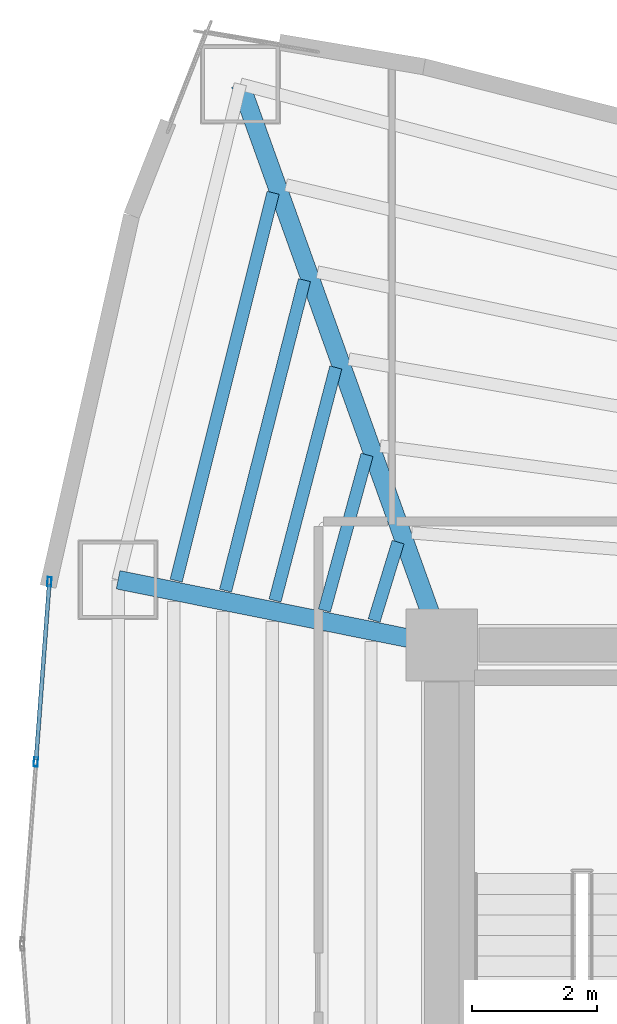
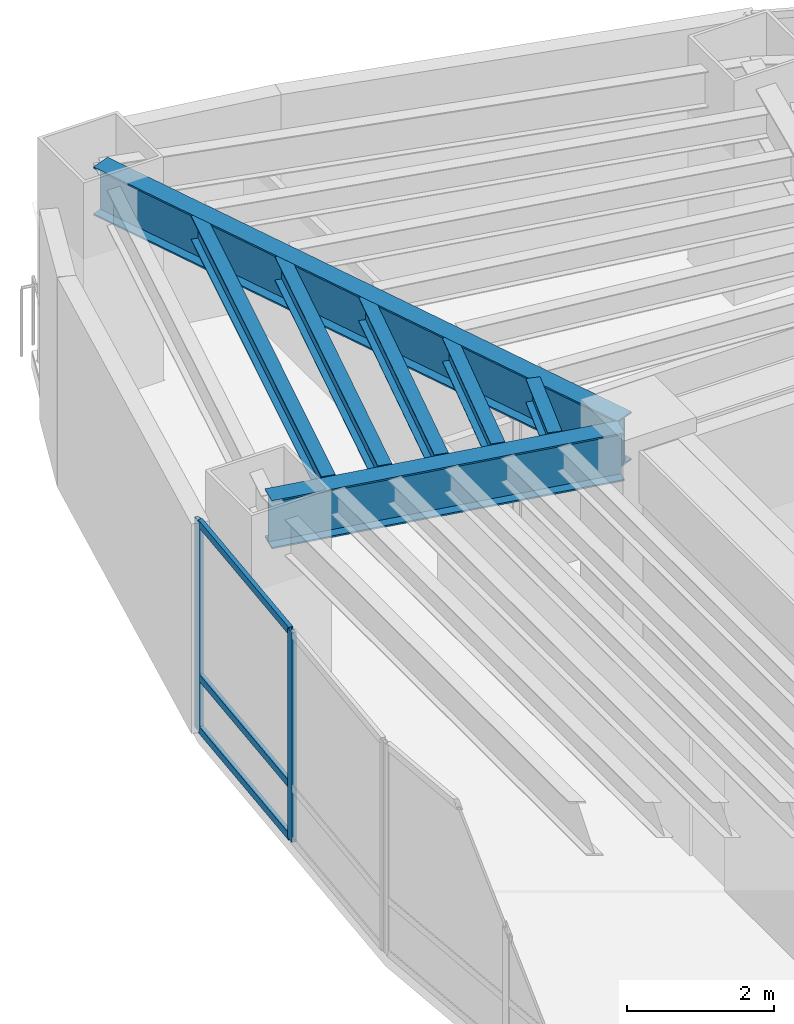
# One storey, part 7 of 18: 7 beams, 5 members, 1 element without a shape of its own.
"""IFC4 building model written with IfcOpenShell, lengths in metres."""

from ifc_helpers import new_model, si_unit, direction, frame, origin, origin_2d, place, context, subcontext, project, spatial, hollow_rectangle, i_section, extrude, material, layer, layer_set, material_profile, profile_set, type_object, element, aggregate, save


model = new_model("IFC4")

# Units and contexts
model_context = context("Model", 3, precision=1e-05, world=origin(), true_north=direction((0.0, 1.0)))
body_context = subcontext(model_context, "Body", "Model", "MODEL_VIEW")
ifc_project = project(units=[si_unit("LENGTHUNIT", "METRE"), si_unit("AREAUNIT", "SQUARE_METRE"), si_unit("VOLUMEUNIT", "CUBIC_METRE"), si_unit("PLANEANGLEUNIT", "RADIAN"), si_unit("MASSUNIT", "GRAM", prefix="KILO")], contexts=[model_context])

# Site, building, storey
site_placement = place(None, origin())
site = spatial("IfcSite", under=ifc_project, at=site_placement, CompositionType="ELEMENT")
building_placement = place(site_placement, origin())
building = spatial("IfcBuilding", under=site, at=building_placement, Name="Menara Vayukalpa", CompositionType="ELEMENT")
storey_placement = place(building_placement, frame((0.0, 0.0, 96.5400390625)))
storey = spatial("IfcBuildingStorey", under=building, at=storey_placement, Name="L23", CompositionType="ELEMENT", Elevation=96.5400390625)

# Beams
ifc_material_1 = material(Name="Steel S355", Category="steel")
ifc_material_profile_1 = material_profile(ifc_material_1, i_section(OverallWidth=0.300048828125, OverallDepth=0.800048828125, WebThickness=0.013916015625, FlangeThickness=0.02587890625, at=origin_2d()), Name="WF 800x300x14x26")
ifc_profile_set_1 = profile_set([ifc_material_profile_1], Name="Steel S355")
beam_type_1 = type_object("IfcBeamType", Name="BM-PG3", PredefinedType="BEAM", material=ifc_profile_set_1)
beam_1_placement = place(storey_placement, frame((17.715576171875, 27.035400390625, 3.070068359375), z_axis=(-0.337975542909, 0.941154892882, 0.0), x_axis=(-0.941154892882, -0.337975542909, 0.0)))
element("IfcBeam", 1, at=beam_1_placement, inside=storey, type_object=beam_type_1, Name="L23 Primary Radial Girder RG04", PredefinedType="BEAM", context=body_context, shape_type="SweptSolid", body=[
    extrude(i_section(OverallWidth=0.300048828125, OverallDepth=0.800048828125, WebThickness=0.013916015625, FlangeThickness=0.02587890625, at=origin_2d()), origin(), (0.0, 0.0, 1.0), 9.309814453125),
])
beam_2_placement = place(storey_placement, frame((17.554931640625, 26.849365234375, 3.070068359375), z_axis=(-0.980324984906, 0.197390283373, 0.0), x_axis=(-0.197390283373, -0.980324984906, 0.0)))
element("IfcBeam", 2, at=beam_2_placement, inside=storey, type_object=beam_type_1, Name="L23 Primary Radial Girder RG05", PredefinedType="BEAM", context=body_context, shape_type="SweptSolid", body=[
    extrude(i_section(OverallWidth=0.300048828125, OverallDepth=0.800048828125, WebThickness=0.013916015625, FlangeThickness=0.02587890625, at=origin_2d()), origin(), (0.0, 0.0, 1.0), 5.047607421875),
])
ifc_material_2 = material(Name="Steel S355", Category="steel")
ifc_material_profile_2 = material_profile(ifc_material_2, i_section(OverallWidth=0.199951171875, OverallDepth=0.39990234375, WebThickness=0.008056640625, FlangeThickness=0.012939453125, at=origin_2d()), Name="WF 400x200x8x13")
ifc_profile_set_2 = profile_set([ifc_material_profile_2], Name="Steel S355")
beam_type_2 = type_object("IfcBeamType", Name="BM-SJ2", PredefinedType="JOIST", material=ifc_profile_set_2)
beam_3_placement = place(storey_placement, frame((17.099365234375, 28.449951171875, 3.27001953125), z_axis=(-0.292651981473, -0.956219021846, 0.0), x_axis=(0.956219021846, -0.292651981473, 0.0)))
element("IfcBeam", 3, at=beam_3_placement, inside=storey, type_object=beam_type_2, Name="L23 Secondary Floor Joist SJ04-1", PredefinedType="JOIST", context=body_context, shape_type="SweptSolid", body=[
    extrude(i_section(OverallWidth=0.199951171875, OverallDepth=0.39990234375, WebThickness=0.008056640625, FlangeThickness=0.012939453125, at=origin_2d()), origin(), (0.0, 0.0, 1.0), 1.31640625),
])
beam_4_placement = place(storey_placement, frame((16.600830078125, 29.850341796875, 3.27001953125), z_axis=(-0.263922858843, -0.964543790908, 0.0), x_axis=(0.964543790908, -0.263922858843, 0.0)))
element("IfcBeam", 4, at=beam_4_placement, inside=storey, type_object=beam_type_2, Name="L23 Secondary Floor Joist SJ04-2", PredefinedType="JOIST", context=body_context, shape_type="SweptSolid", body=[
    extrude(i_section(OverallWidth=0.199951171875, OverallDepth=0.39990234375, WebThickness=0.008056640625, FlangeThickness=0.012939453125, at=origin_2d()), origin(), (0.0, 0.0, 1.0), 2.590087890625),
])
beam_5_placement = place(storey_placement, frame((16.099365234375, 31.251953125, 3.27001953125), z_axis=(-0.252406469257, -0.967621296933, 0.0), x_axis=(0.967621296933, -0.252406469257, 0.0)))
element("IfcBeam", 5, at=beam_5_placement, inside=storey, type_object=beam_type_2, Name="L23 Secondary Floor Joist SJ04-3", PredefinedType="JOIST", context=body_context, shape_type="SweptSolid", body=[
    extrude(i_section(OverallWidth=0.199951171875, OverallDepth=0.39990234375, WebThickness=0.008056640625, FlangeThickness=0.012939453125, at=origin_2d()), origin(), (0.0, 0.0, 1.0), 3.865234375),
])
beam_6_placement = place(storey_placement, frame((15.596923828125, 32.653564453125, 3.27001953125), z_axis=(-0.246311066692, -0.969190826631, 0.0), x_axis=(0.969190826631, -0.246311066692, 0.0)))
element("IfcBeam", 6, at=beam_6_placement, inside=storey, type_object=beam_type_2, Name="L23 Secondary Floor Joist SJ04-4", PredefinedType="JOIST", context=body_context, shape_type="SweptSolid", body=[
    extrude(i_section(OverallWidth=0.199951171875, OverallDepth=0.39990234375, WebThickness=0.008056640625, FlangeThickness=0.012939453125, at=origin_2d()), origin(), (0.0, 0.0, 1.0), 5.140380859375),
])
beam_7_placement = place(storey_placement, frame((15.09423828125, 34.055419921875, 3.27001953125), z_axis=(-0.242481900969, -0.970155929582, 0.0), x_axis=(0.970155929582, -0.242481900969, 0.0)))
element("IfcBeam", 7, at=beam_7_placement, inside=storey, type_object=beam_type_2, Name="L23 Secondary Floor Joist SJ04-5", PredefinedType="JOIST", context=body_context, shape_type="SweptSolid", body=[
    extrude(i_section(OverallWidth=0.199951171875, OverallDepth=0.39990234375, WebThickness=0.008056640625, FlangeThickness=0.012939453125, at=origin_2d()), origin(), (0.0, 0.0, 1.0), 6.41552734375),
])

# Curtain wall, members
ifc_material_3 = material(Name="Anodised Terracotta Aluminium Alloy 6063-T6", Category="masonry")
ifc_layer = layer(ifc_material_3, 0.14990234375)
ifc_layer_set = layer_set([ifc_layer], Name="Anodised Terracotta Aluminium Alloy 6063-T6")
curtain_wall_type = type_object("IfcCurtainWallType", Name="CW-CW3", PredefinedType="USERDEFINED", material=ifc_layer_set)
curtain_wall_placement = place(storey_placement, origin())
curtain_wall = element("IfcCurtainWall", 8, at=curtain_wall_placement, inside=storey, type_object=curtain_wall_type, Name="L23 Mid Rise Terracotta Ribbon Curtain Wall CW3 10", ObjectType="UNITISED", PredefinedType="USERDEFINED")
ifc_material_4 = material(Name="Anodised Terracotta Aluminium Alloy 6063-T6", Category="masonry")
ifc_material_profile_3 = material_profile(ifc_material_4, hollow_rectangle(XDim=0.06494140625, YDim=0.14990234375, WallThickness=0.00341796875, at=origin_2d()), Name="ALU 65x150x3.5")
ifc_profile_set_3 = profile_set([ifc_material_profile_3], Name="Anodised Terracotta Aluminium Alloy 6063-T6")
member_type_1 = type_object("IfcMemberType", Name="CWM-CW3", PredefinedType="MULLION", material=ifc_profile_set_3)
member_1_placement = place(storey_placement, frame((11.504150390625, 27.813232421875, 0.0), z_axis=(0.0, 0.0, 1.0), x_axis=(0.997199659745, -0.07478528334, 0.0)))
member_1 = element("IfcMember", 9, at=member_1_placement, type_object=member_type_1, Name="CW3 mullion 1", PredefinedType="MULLION", context=body_context, shape_type="SweptSolid", body=[
    extrude(hollow_rectangle(XDim=0.06494140625, YDim=0.14990234375, WallThickness=0.00341796875, at=origin_2d()), origin(), (0.0, 0.0, 1.0), 3.469970703125),
])
member_2_placement = place(storey_placement, frame((11.287353515625, 24.9228515625, 0.0), z_axis=(0.0, 0.0, 1.0), x_axis=(0.997199659745, -0.07478528334, 0.0)))
member_2 = element("IfcMember", 10, at=member_2_placement, type_object=member_type_1, Name="CW3 mullion 2", PredefinedType="MULLION", context=body_context, shape_type="SweptSolid", body=[
    extrude(hollow_rectangle(XDim=0.06494140625, YDim=0.14990234375, WallThickness=0.00341796875, at=origin_2d()), origin(), (0.0, 0.0, 1.0), 3.469970703125),
])
ifc_material_5 = material(Name="Anodised Terracotta Aluminium Alloy 6063-T6", Category="masonry")
ifc_material_profile_4 = material_profile(ifc_material_5, hollow_rectangle(XDim=0.06494140625, YDim=0.1201171875, WallThickness=0.00341796875, at=origin_2d()), Name="ALU 65x120x3.5")
ifc_profile_set_4 = profile_set([ifc_material_profile_4], Name="Anodised Terracotta Aluminium Alloy 6063-T6")
member_type_2 = type_object("IfcMemberType", Name="CWT-CW3", PredefinedType="USERDEFINED", material=ifc_profile_set_4)
member_3_placement = place(storey_placement, frame((11.501708984375, 27.78076171875, 0.032470703125), z_axis=(-0.074792090342, -0.997199149229, 0.0), x_axis=(0.997199149229, -0.074792090342, 0.0)))
member_3 = element("IfcMember", 11, at=member_3_placement, type_object=member_type_2, Name="CW3 transom 1.1", ObjectType="TRANSOM", PredefinedType="USERDEFINED", context=body_context, shape_type="SweptSolid", body=[
    extrude(hollow_rectangle(XDim=0.06494140625, YDim=0.1201171875, WallThickness=0.00341796875, at=origin_2d()), origin(), (0.0, 0.0, 1.0), 2.83349609375),
])
member_4_placement = place(storey_placement, frame((11.501708984375, 27.78076171875, 0.89990234375), z_axis=(-0.074792090342, -0.997199149229, 0.0), x_axis=(0.997199149229, -0.074792090342, 0.0)))
member_4 = element("IfcMember", 12, at=member_4_placement, type_object=member_type_2, Name="CW3 transom 1.2", ObjectType="TRANSOM", PredefinedType="USERDEFINED", context=body_context, shape_type="SweptSolid", body=[
    extrude(hollow_rectangle(XDim=0.06494140625, YDim=0.1201171875, WallThickness=0.00341796875, at=origin_2d()), origin(), (0.0, 0.0, 1.0), 2.83349609375),
])
member_5_placement = place(storey_placement, frame((11.501708984375, 27.78076171875, 3.4375), z_axis=(-0.074792090342, -0.997199149229, 0.0), x_axis=(0.997199149229, -0.074792090342, 0.0)))
member_5 = element("IfcMember", 13, at=member_5_placement, type_object=member_type_2, Name="CW3 transom 1.3", ObjectType="TRANSOM", PredefinedType="USERDEFINED", context=body_context, shape_type="SweptSolid", body=[
    extrude(hollow_rectangle(XDim=0.06494140625, YDim=0.1201171875, WallThickness=0.00341796875, at=origin_2d()), origin(), (0.0, 0.0, 1.0), 2.83349609375),
])
aggregate(curtain_wall, [member_1, member_2, member_3, member_4, member_5])

save(model, "model.ifc")
